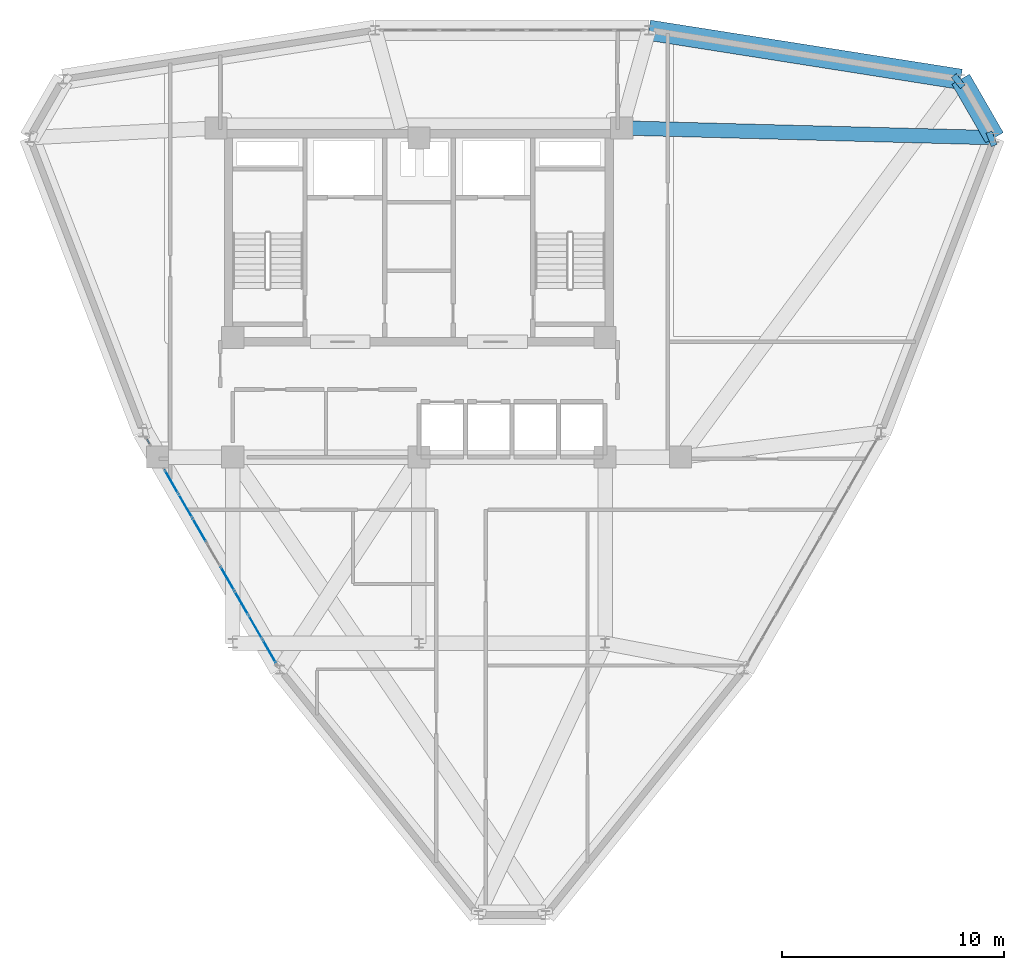
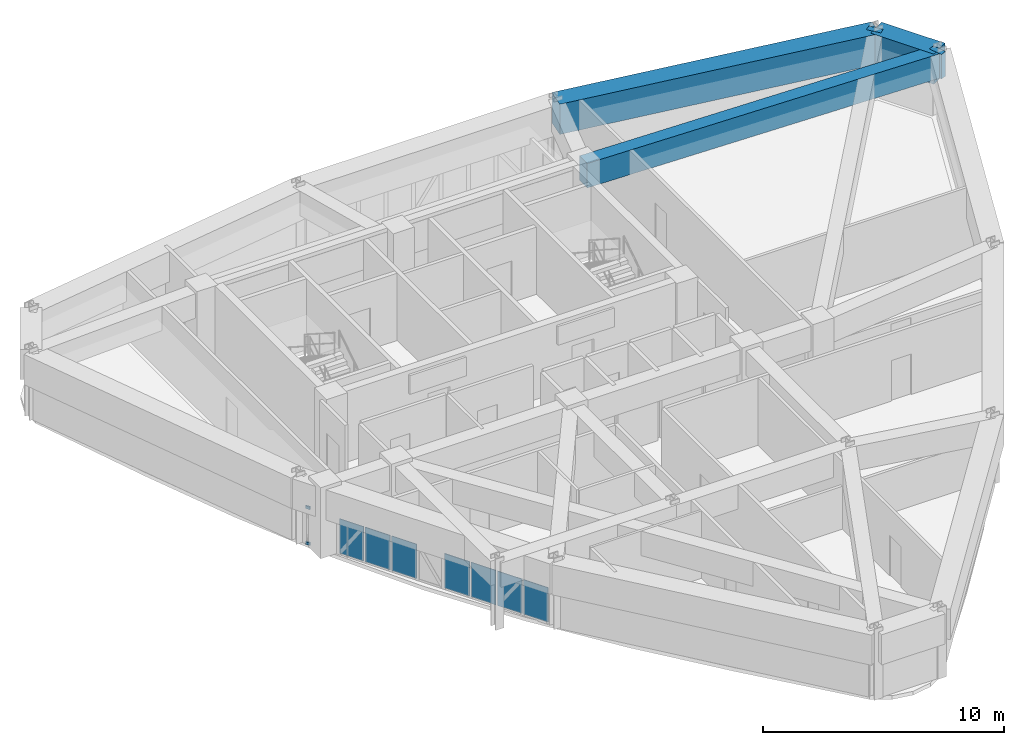
# One storey, part 11 of 16: 7 plates, 5 beams, 2 members, 2 elements without a shape of their own.
"""IFC4 building model written with IfcOpenShell, lengths in metres."""

from ifc_helpers import new_model, si_unit, derived_unit, direction, frame, origin, origin_2d, place, context, subcontext, project, spatial, rectangle, hollow_rectangle, extrude, source, transform, mapped, material, layer, layer_set, material_profile, profile_set, type_object, element, aggregate, save


model = new_model("IFC4")

# Units and contexts
model_context = context("Model", 3, precision=1e-05, world=origin(), true_north=direction((0.0, 1.0)))
body_context = subcontext(model_context, "Body", "Model", "MODEL_VIEW")
ifc_project = project(units=[si_unit("LENGTHUNIT", "METRE"), si_unit("AREAUNIT", "SQUARE_METRE"), si_unit("VOLUMEUNIT", "CUBIC_METRE"), si_unit("PLANEANGLEUNIT", "RADIAN"), si_unit("MASSUNIT", "GRAM", prefix="KILO"), derived_unit("THERMALTRANSMITTANCEUNIT", [(si_unit("POWERUNIT", "WATT"), 1), (si_unit("LENGTHUNIT", "METRE"), -2), (si_unit("THERMODYNAMICTEMPERATUREUNIT", "KELVIN"), -1)])], contexts=[model_context])

# Site, building, storey
site_placement = place(None, origin())
site = spatial("IfcSite", under=ifc_project, at=site_placement, CompositionType="ELEMENT")
building_placement = place(site_placement, origin())
building = spatial("IfcBuilding", under=site, at=building_placement, Name="Korsvarv Bourse and Concert Hall", CompositionType="ELEMENT")
storey_placement = place(building_placement, frame((0.0, 0.0, 213.0)))
storey = spatial("IfcBuildingStorey", under=building, at=storey_placement, Name="L55", CompositionType="ELEMENT", Elevation=213.0)

# Beams
ifc_material_1 = material(Name="Concrete C50/60", Category="concrete")
ifc_material_profile_1 = material_profile(ifc_material_1, rectangle(XDim=0.64990234375, YDim=1.239990234375, at=origin_2d()), Name="RC-BM 650x1240")
ifc_profile_set_1 = profile_set([ifc_material_profile_1], Name="Concrete C50/60")
beam_type_1 = type_object("IfcBeamType", Name="BM-TR-SPN", PredefinedType="BEAM", material=ifc_profile_set_1)
shared_shape_1 = source(origin(), body_context, "Body", "SweptSolid", [
    extrude(rectangle(XDim=0.64990234375, YDim=1.239990234375, at=origin_2d()), origin(), (0.0, 0.0, 1.0), 0.282470703125),
])
for number, where, z_axis, x_axis, name in (
    (1, (61.97021484375, 46.811279296875, 2.7900390625), (-0.931484801374, -0.363780242466, 0.0), (0.363780242466, -0.931484801374, 0.0), "L55 beam B-TRS"),
    (2, (60.447998046875, 49.44775390625, 2.7900390625), (-0.781374515666, -0.624062389724, 0.0), (0.624062389724, -0.781374515666, 0.0), "L55 beam B-TRS"),
):
    element("IfcBeam", number, at=place(storey_placement, frame(where, z_axis=z_axis, x_axis=x_axis)), inside=storey, type_object=beam_type_1, Name=name, PredefinedType="BEAM", context=body_context, shape_type="MappedRepresentation", body=[
        mapped(shared_shape_1, transform((0.0, 0.0, 0.0), scale=1.0)),
    ])
ifc_material_profile_2 = material_profile(ifc_material_1, rectangle(XDim=0.919921875, YDim=1.530029296875, at=origin_2d()), Name="RC-BM 920x1530")
ifc_profile_set_2 = profile_set([ifc_material_profile_2], Name="Concrete C50/60")
beam_type_2 = type_object("IfcBeamType", Name="BM-TR-154", PredefinedType="BEAM", material=ifc_profile_set_2)
shared_shape_2 = source(origin(), body_context, "Body", "SweptSolid", [
    extrude(rectangle(XDim=0.919921875, YDim=1.530029296875, at=origin_2d()), origin(), (0.0, 0.0, 1.0), 3.04443359375),
])
beam_1_placement = place(storey_placement, frame((61.97021484375, 46.811279296875, 2.64501953125), z_axis=(-0.500011694876, 0.866018651639, 0.0), x_axis=(-0.866018651639, -0.500011694876, 0.0)))
element("IfcBeam", 3, at=beam_1_placement, inside=storey, type_object=beam_type_2, Name="L55 beam B-TR6", PredefinedType="BEAM", context=body_context, shape_type="MappedRepresentation", body=[
    mapped(shared_shape_2, transform((0.0, 0.0, 0.0), scale=1.0)),
])
shared_shape_3 = source(origin(), body_context, "Body", "SweptSolid", [
    extrude(rectangle(XDim=0.919921875, YDim=1.530029296875, at=origin_2d()), origin(), (0.0, 0.0, 1.0), 14.244384765625),
])
beam_2_placement = place(storey_placement, frame((60.447998046875, 49.44775390625, 2.64501953125), z_axis=(-0.987848421063, 0.15542038799, 0.0), x_axis=(-0.15542038799, -0.987848421063, 0.0)))
element("IfcBeam", 4, at=beam_2_placement, inside=storey, type_object=beam_type_2, Name="L55 beam B-TR6", PredefinedType="BEAM", context=body_context, shape_type="MappedRepresentation", body=[
    mapped(shared_shape_3, transform((0.0, 0.0, 0.0), scale=1.0)),
])
shared_shape_4 = source(origin(), body_context, "Body", "SweptSolid", [
    extrude(rectangle(XDim=0.64990234375, YDim=1.239990234375, at=origin_2d()), origin(), (0.0, 0.0, 1.0), 16.825927734375),
])
beam_3_placement = place(storey_placement, frame((61.97021484375, 46.811279296875, 2.7900390625), z_axis=(-0.999660017456, 0.02607392376, 0.0), x_axis=(-0.02607392376, -0.999660017456, 0.0)))
element("IfcBeam", 5, at=beam_3_placement, inside=storey, type_object=beam_type_1, Name="L55 beam B-TRS", PredefinedType="BEAM", context=body_context, shape_type="MappedRepresentation", body=[
    mapped(shared_shape_4, transform((0.0, 0.0, 0.0), scale=1.0)),
])

# Curtain wall, members
ifc_material_2 = material(Name="Anodised aluminium and triple low-E glazing", Category="glass")
ifc_layer_1 = layer(ifc_material_2, 0.199951171875)
ifc_layer_set_1 = layer_set([ifc_layer_1], Name="Anodised aluminium and triple low-E glazing")
curtain_wall_type = type_object("IfcCurtainWallType", Name="CW-SYS-3", PredefinedType="NOTDEFINED", material=ifc_layer_set_1)
curtain_wall_1_placement = place(storey_placement, origin())
curtain_wall_1 = element("IfcCurtainWall", 6, at=curtain_wall_1_placement, inside=storey, type_object=curtain_wall_type, Name="L55 CW3 curtain wall CW-L55-F07-1", PredefinedType="NOTDEFINED")
ifc_material_3 = material(Name="Extruded aluminium EN AW-6063 T66", Category="aluminium")
ifc_material_profile_3 = material_profile(ifc_material_3, hollow_rectangle(XDim=0.06494140625, YDim=0.139892578125, WallThickness=0.00390625, at=origin_2d()), Name="ALU-T 65x140")
ifc_profile_set_3 = profile_set([ifc_material_profile_3], Name="Extruded aluminium EN AW-6063 T66")
member_type = type_object("IfcMemberType", Name="CWT-140", PredefinedType="USERDEFINED", material=ifc_profile_set_3)
shared_shape_5 = source(origin(), body_context, "Body", "SweptSolid", [
    extrude(hollow_rectangle(XDim=0.06494140625, YDim=0.139892578125, WallThickness=0.00390625, at=origin_2d()), origin(), (0.0, 0.0, 1.0), 0.21826171875),
])
member_1_placement = place(storey_placement, frame((23.732177734375, 33.19970703125, 0.032470703125), z_axis=(0.500109828528, -0.865961984968, 0.0), x_axis=(0.865961984968, 0.500109828528, 0.0)))
member_1 = element("IfcMember", 7, at=member_1_placement, type_object=member_type, Name="CW3 transom 1.1", ObjectType="TRANSOM", PredefinedType="USERDEFINED", context=body_context, shape_type="MappedRepresentation", body=[
    mapped(shared_shape_5, transform((0.0, 0.0, 0.0), scale=1.0)),
])
member_2_placement = place(storey_placement, frame((23.732177734375, 33.19970703125, 1.847412109375), z_axis=(0.500109828528, -0.865961984968, 0.0), x_axis=(0.865961984968, 0.500109828528, 0.0)))
member_2 = element("IfcMember", 8, at=member_2_placement, type_object=member_type, Name="CW3 transom 1.2", ObjectType="TRANSOM", PredefinedType="USERDEFINED", context=body_context, shape_type="MappedRepresentation", body=[
    mapped(shared_shape_5, transform((0.0, 0.0, 0.0), scale=1.0)),
])
aggregate(curtain_wall_1, [member_1, member_2])

# Curtain wall, plates
curtain_wall_2_placement = place(storey_placement, origin())
curtain_wall_2 = element("IfcCurtainWall", 9, at=curtain_wall_2_placement, inside=storey, type_object=curtain_wall_type, Name="L55 CW3 curtain wall CW-L55-F07-2", PredefinedType="NOTDEFINED")
ifc_material_4 = material(Name="Insulated spandrel glass", Category="glass")
ifc_layer_2 = layer(ifc_material_4, 0.031982421875)
ifc_layer_set_2 = layer_set([ifc_layer_2], Name="Insulated spandrel glass")
plate_type_1 = type_object("IfcPlateType", Name="CWP-SPD1", PredefinedType="CURTAIN_PANEL", material=ifc_layer_set_2)
shared_shape_6 = source(origin(), body_context, "Body", "SweptSolid", [
    extrude(rectangle(XDim=1.1611328125, YDim=0.031982421875, at=origin_2d()), origin(), (0.0, 0.0, 1.0), 1.75),
])
plate_1_placement = place(storey_placement, frame((24.836669921875, 31.28662109375, 0.06494140625), z_axis=(0.0, 0.0, 1.0), x_axis=(0.49999877372, -0.866026111776, 0.0)))
plate_1 = element("IfcPlate", 10, at=plate_1_placement, type_object=plate_type_1, Name="CW3 spandrel shadow-box panel 1.1", PredefinedType="CURTAIN_PANEL", context=body_context, shape_type="MappedRepresentation", body=[
    mapped(shared_shape_6, transform((0.0, 0.0, 0.0), scale=1.0)),
])
ifc_material_5 = material(Name="Tempered triple insulated low-E architectural glass", Category="glass")
ifc_layer_3 = layer(ifc_material_5, 0.0380859375)
ifc_layer_set_3 = layer_set([ifc_layer_3], Name="Tempered triple insulated low-E architectural glass")
plate_type_2 = type_object("IfcPlateType", Name="CWP-VIS2", PredefinedType="CURTAIN_PANEL", material=ifc_layer_set_3)
shared_shape_7 = source(origin(), body_context, "Body", "SweptSolid", [
    extrude(rectangle(XDim=1.196044921875, YDim=0.0380859375, at=origin_2d()), origin(), (0.0, 0.0, 1.0), 1.75),
])
plate_2_placement = place(storey_placement, frame((25.4609375, 30.205322265625, 0.06494140625), z_axis=(0.0, 0.0, 1.0), x_axis=(0.49999877372, -0.866026111776, 0.0)))
plate_2 = element("IfcPlate", 11, at=plate_2_placement, type_object=plate_type_2, Name="CW3 faceted panel 2.1", PredefinedType="CURTAIN_PANEL", context=body_context, shape_type="MappedRepresentation", body=[
    mapped(shared_shape_7, transform((0.0, 0.0, 0.0), scale=1.0)),
])
plate_3_placement = place(storey_placement, frame((26.093994140625, 29.108642578125, 0.06494140625), z_axis=(0.0, 0.0, 1.0), x_axis=(0.49999877372, -0.866026111776, 0.0)))
plate_3 = element("IfcPlate", 12, at=plate_3_placement, type_object=plate_type_2, Name="CW3 faceted panel 3.1", PredefinedType="CURTAIN_PANEL", context=body_context, shape_type="MappedRepresentation", body=[
    mapped(shared_shape_7, transform((0.0, 0.0, 0.0), scale=1.0)),
])
plate_4_placement = place(storey_placement, frame((27.360107421875, 26.915771484375, 0.06494140625), z_axis=(0.0, 0.0, 1.0), x_axis=(0.49999877372, -0.866026111776, 0.0)))
plate_4 = element("IfcPlate", 13, at=plate_4_placement, type_object=plate_type_2, Name="CW3 faceted panel 5.1", PredefinedType="CURTAIN_PANEL", context=body_context, shape_type="MappedRepresentation", body=[
    mapped(shared_shape_7, transform((0.0, 0.0, 0.0), scale=1.0)),
])
plate_5_placement = place(storey_placement, frame((27.9931640625, 25.8193359375, 0.06494140625), z_axis=(0.0, 0.0, 1.0), x_axis=(0.49999877372, -0.866026111776, 0.0)))
plate_5 = element("IfcPlate", 14, at=plate_5_placement, type_object=plate_type_2, Name="CW3 faceted panel 6.1", PredefinedType="CURTAIN_PANEL", context=body_context, shape_type="MappedRepresentation", body=[
    mapped(shared_shape_7, transform((0.0, 0.0, 0.0), scale=1.0)),
])
shared_shape_8 = source(origin(), body_context, "Body", "SweptSolid", [
    extrude(rectangle(XDim=1.196044921875, YDim=0.031982421875, at=origin_2d()), origin(), (0.0, 0.0, 1.0), 1.75),
])
plate_6_placement = place(storey_placement, frame((28.626220703125, 24.72265625, 0.06494140625), z_axis=(0.0, 0.0, 1.0), x_axis=(0.49999877372, -0.866026111776, 0.0)))
plate_6 = element("IfcPlate", 15, at=plate_6_placement, type_object=plate_type_1, Name="CW3 spandrel shadow-box panel 7.1", PredefinedType="CURTAIN_PANEL", context=body_context, shape_type="MappedRepresentation", body=[
    mapped(shared_shape_8, transform((0.0, 0.0, 0.0), scale=1.0)),
])
shared_shape_9 = source(origin(), body_context, "Body", "SweptSolid", [
    extrude(rectangle(XDim=1.1611328125, YDim=0.0380859375, at=origin_2d()), origin(), (0.0, 0.0, 1.0), 1.75),
])
plate_7_placement = place(storey_placement, frame((29.250732421875, 23.641357421875, 0.06494140625), z_axis=(0.0, 0.0, 1.0), x_axis=(0.49999877372, -0.866026111776, 0.0)))
plate_7 = element("IfcPlate", 16, at=plate_7_placement, type_object=plate_type_2, Name="CW3 faceted panel 8.1", PredefinedType="CURTAIN_PANEL", context=body_context, shape_type="MappedRepresentation", body=[
    mapped(shared_shape_9, transform((0.0, 0.0, 0.0), scale=1.0)),
])
aggregate(curtain_wall_2, [plate_1, plate_2, plate_3, plate_4, plate_5, plate_6, plate_7])

save(model, "model.ifc")
